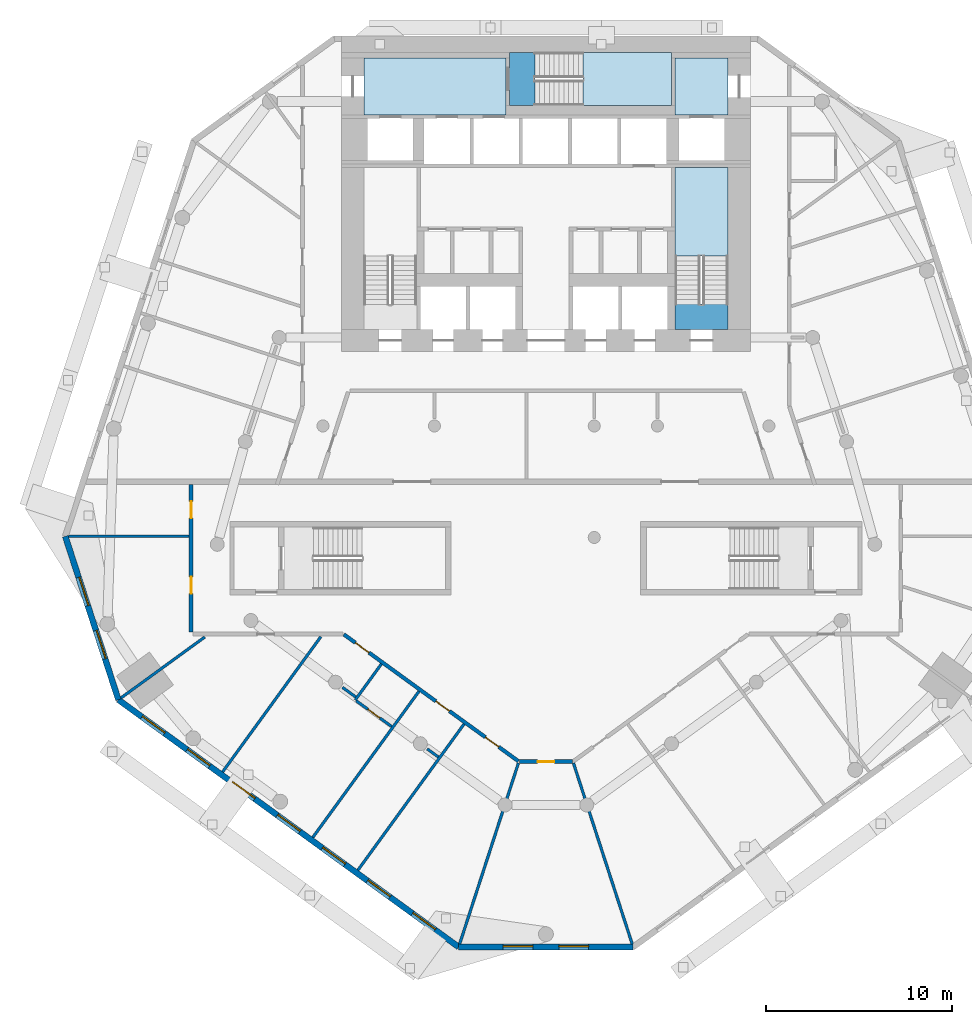
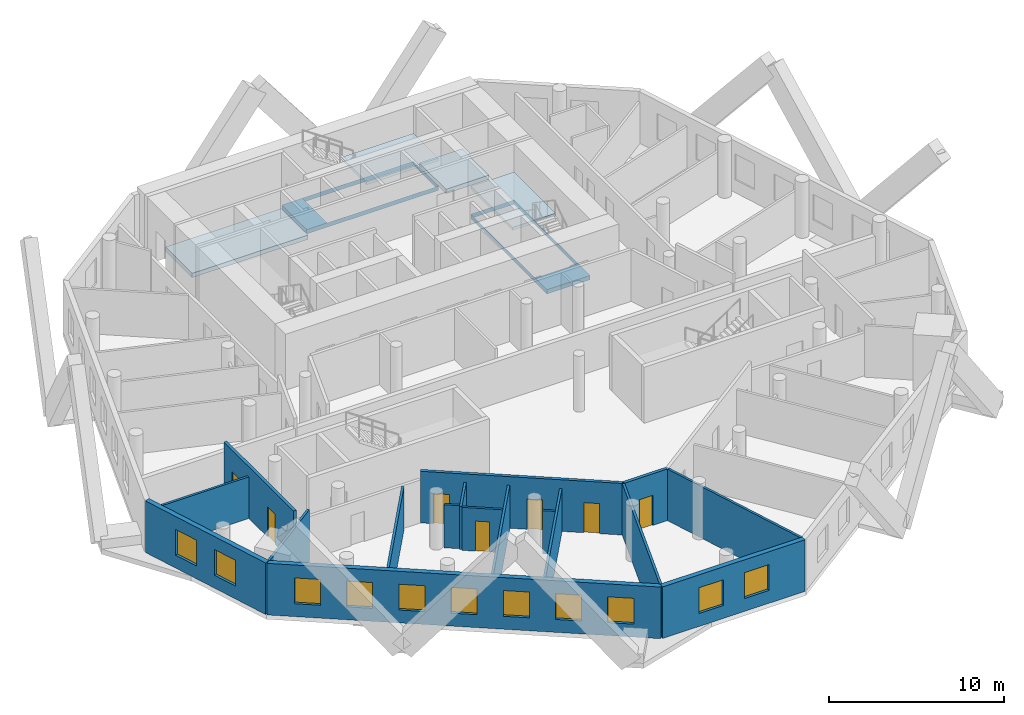
# One storey, part 3 of 10: 17 walls, 11 windows, 7 doors, 6 slabs, 18 openings, 2 elements without a shape of their own.
"""IFC4 building model written with IfcOpenShell, lengths in metres."""

from ifc_helpers import new_model, si_unit, direction, frame, frame_2d, origin, place, context, subcontext, project, spatial, polyline, rectangle, outline, extrude, material, layer, layer_set, type_object, element, fill, aggregate, save


model = new_model("IFC4")

# Units and contexts
model_context = context("Model", 3, precision=1e-05, world=origin(), true_north=direction((0.0, 1.0)))
body_context = subcontext(model_context, "Body", "Model", "MODEL_VIEW")
ifc_project = project(units=[si_unit("LENGTHUNIT", "METRE"), si_unit("AREAUNIT", "SQUARE_METRE"), si_unit("VOLUMEUNIT", "CUBIC_METRE"), si_unit("PLANEANGLEUNIT", "RADIAN"), si_unit("MASSUNIT", "GRAM", prefix="KILO")], contexts=[model_context])

# Site, building, storey
site_placement = place(None, origin())
site = spatial("IfcSite", under=ifc_project, at=site_placement, CompositionType="ELEMENT")
building_placement = place(site_placement, origin())
building = spatial("IfcBuilding", under=site, at=building_placement, Name="White Candle Pilgrim Tower", CompositionType="ELEMENT")
storey_placement = place(building_placement, frame((0.0, 0.0, 78.0)))
storey = spatial("IfcBuildingStorey", under=building, at=storey_placement, Name="L16", CompositionType="ELEMENT", Elevation=78.0)

# Slabs
ifc_material_1 = material(Name="Concrete C40/50", Category="concrete")
ifc_layer_1 = layer(ifc_material_1, 0.300048828125)
ifc_layer_set_1 = layer_set([ifc_layer_1], Name="Core floor slab 300 mm Concrete C40/50")
slab_type_1 = type_object("IfcSlabType", Name="Core floor slab 300 mm Concrete C40/50", PredefinedType="FLOOR", material=ifc_layer_set_1)
slab_1_placement = place(storey_placement, frame((0.0, 0.0, -0.300048828125)))
element("IfcSlab", 1, at=slab_1_placement, inside=storey, type_object=slab_type_1, Name="CF-L16-05", PredefinedType="FLOOR", context=body_context, shape_type="SweptSolid", body=[
    extrude(outline(polyline([(76.75, 87.10009765625), (76.75, 86.800048828125), (76.75, 84.25), (68.050048828125, 84.25), (68.050048828125, 86.800048828125), (68.050048828125, 87.10009765625), (76.75, 87.10009765625)]), holes=[polyline([(69.402099609375, 87.097900390625), (69.402099609375, 84.251953125), (76.748046875, 84.251953125), (76.748046875, 87.097900390625), (69.402099609375, 87.097900390625)])]), origin(), (0.0, 0.0, 1.0), 0.300048828125),
])
slab_2_placement = place(storey_placement, frame((0.0, 0.0, -0.300048828125)))
element("IfcSlab", 2, at=slab_2_placement, inside=storey, type_object=slab_type_1, Name="CF-L16-06", PredefinedType="FLOOR", context=body_context, shape_type="SweptSolid", body=[
    extrude(outline(polyline([(79.800048828125, 86.800048828125), (79.800048828125, 83.75), (76.949951171875, 83.75), (76.949951171875, 84.25), (76.949951171875, 86.800048828125), (79.800048828125, 86.800048828125)])), origin(), (0.0, 0.0, 1.0), 0.300048828125),
])
slab_3_placement = place(storey_placement, frame((0.0, 0.0, -0.300048828125)))
element("IfcSlab", 3, at=slab_3_placement, inside=storey, type_object=slab_type_1, Name="CF-L16-07", PredefinedType="FLOOR", context=body_context, shape_type="SweptSolid", body=[
    extrude(outline(polyline([(79.800048828125, 72.199951171875), (76.949951171875, 72.199951171875), (76.949951171875, 74.5), (76.949951171875, 75.199951171875), (76.949951171875, 77.5), (76.949951171875, 77.699951171875), (76.949951171875, 80.89990234375), (79.800048828125, 80.89990234375), (79.800048828125, 72.199951171875)]), holes=[polyline([(76.951904296875, 73.552001953125), (79.798095703125, 73.552001953125), (79.798095703125, 80.89794921875), (76.951904296875, 80.89794921875), (76.951904296875, 73.552001953125)])]), origin(), (0.0, 0.0, 1.0), 0.300048828125),
])
slab_4_placement = place(storey_placement, frame((0.0, 0.0, -0.300048828125)))
element("IfcSlab", 4, at=slab_4_placement, inside=storey, type_object=slab_type_1, Name="CF-L16-10", PredefinedType="FLOOR", context=body_context, shape_type="SweptSolid", body=[
    extrude(outline(polyline([(60.199951171875, 86.800048828125), (67.85009765625, 86.800048828125), (67.85009765625, 84.25), (67.85009765625, 83.75), (60.199951171875, 83.75), (60.199951171875, 86.800048828125)])), origin(), (0.0, 0.0, 1.0), 0.300048828125),
])

# Stair, slab
stair_type_1 = type_object("IfcStairType", Name="Exit stair 2 flight width 1350 mm", PredefinedType="HALF_TURN_STAIR", material=ifc_material_1)
stair_1_placement = place(storey_placement, origin())
stair_1 = element("IfcStair", 5, at=stair_1_placement, inside=storey, type_object=stair_type_1, Name="L16 stair 2", PredefinedType="NOTDEFINED")
ifc_layer_2 = layer(ifc_material_1, 0.199951171875)
ifc_layer_set_2 = layer_set([ifc_layer_2], Name="Stair landing Concrete C40/50")
slab_type_2 = type_object("IfcSlabType", Name="Stair landing Concrete C40/50", PredefinedType="LANDING", material=ifc_layer_set_2)
slab_5_placement = place(storey_placement, frame((0.0, 0.0, 1.75)))
slab_5 = element("IfcSlab", 6, at=slab_5_placement, type_object=slab_type_2, Name="ST2 landing 1", PredefinedType="LANDING", context=body_context, shape_type="SweptSolid", body=[
    extrude(outline(polyline([(79.802001953125, 76.14794921875), (76.947998046875, 76.14794921875), (76.947998046875, 80.902099609375), (79.802001953125, 80.902099609375), (79.802001953125, 76.14794921875)])), origin(), (0.0, 0.0, 1.0), 0.199951171875),
])
aggregate(stair_1, [slab_5])

stair_type_2 = type_object("IfcStairType", Name="Exit stair 3 flight width 1350 mm", PredefinedType="HALF_TURN_STAIR", material=ifc_material_1)
stair_2_placement = place(storey_placement, origin())
stair_2 = element("IfcStair", 7, at=stair_2_placement, inside=storey, type_object=stair_type_2, Name="L16 stair 3", PredefinedType="NOTDEFINED")
slab_6_placement = place(storey_placement, frame((0.0, 0.0, 1.75)))
slab_6 = element("IfcSlab", 8, at=slab_6_placement, type_object=slab_type_2, Name="ST3 landing 1", PredefinedType="LANDING", context=body_context, shape_type="SweptSolid", body=[
    extrude(outline(polyline([(71.998046875, 84.248046875), (71.998046875, 87.10205078125), (76.751953125, 87.10205078125), (76.751953125, 84.248046875), (71.998046875, 84.248046875)])), origin(), (0.0, 0.0, 1.0), 0.199951171875),
])
aggregate(stair_2, [slab_6])

# Wall, opening, door
ifc_material_2 = material(Name="Gypsum board on steel studs", Category="steel")
ifc_layer_3 = layer(ifc_material_2, 0.199951171875)
ifc_layer_set_3 = layer_set([ifc_layer_3], Name="Corridor wall 200 mm EI 45")
wall_type_1 = type_object("IfcWallType", Name="Corridor wall 200 mm EI 45", PredefinedType="PARTITIONING", material=ifc_layer_set_3)
wall_1_placement = place(storey_placement, frame((71.421875, 48.93701171875, 0.0), z_axis=(0.0, 0.0, 1.0), x_axis=(-1.0, 0.0, 0.0)))
wall_1 = element("IfcWall", 9, at=wall_1_placement, inside=storey, type_object=wall_type_1, Name="WL-L16-P009", PredefinedType="PARTITIONING", context=body_context, shape_type="SweptSolid", body=[
    extrude(rectangle(XDim=2.84375, YDim=0.199951171875, at=frame_2d((1.421875, 0.0))), origin(), (0.0, 0.0, 1.0), 3.60009765625),
])
opening_1_placement = place(wall_1_placement, frame((0.971923828125, 0.0, 0.0)))
opening_1 = element("IfcOpeningElement", 10, at=opening_1_placement, cuts=wall_1, Name="Opening T05-107", PredefinedType="OPENING", context=body_context, shape_type="SweptSolid", body=[
    extrude(rectangle(XDim=0.89990234375, YDim=2.10009765625, at=frame_2d((0.449951171875, 1.050048828125))), frame((0.0, 0.10986328125, 0.0), z_axis=(0.0, -1.0, 0.0), x_axis=(1.0, 0.0, 0.0)), (0.0, 0.0, 1.0), 0.219970703125),
])
ifc_material_3 = material(Name="Steel door leaf", Category="steel")
door_type_1 = type_object("IfcDoorType", Name="Fire door 900 x 2100 EI 30", OperationType="NOTDEFINED", PredefinedType="DOOR", material=ifc_material_3)
door_1_placement = place(opening_1_placement, origin())
door_1 = element("IfcDoor", 11, at=door_1_placement, inside=storey, type_object=door_type_1, Name="Door T05-107", OperationType="SINGLE_SWING_LEFT", OverallHeight=2.10009765625, OverallWidth=0.89990234375, PredefinedType="DOOR", context=body_context, shape_type="SweptSolid", body=[
    extrude(rectangle(XDim=0.89990234375, YDim=2.10009765625, at=frame_2d((0.449951171875, 1.050048828125))), frame((0.0, 0.02490234375, 0.0), z_axis=(0.0, -1.0, 0.0), x_axis=(1.0, 0.0, 0.0)), (0.0, 0.0, 1.0), 0.050048828125),
])
fill(opening_1, door_1)

# Wall, openings, doors
wall_2_placement = place(storey_placement, frame((68.519287109375, 48.956298828125, 0.0), z_axis=(0.0, 0.0, 1.0), x_axis=(-0.80901423231, 0.587789053931, 0.0)))
wall_2 = element("IfcWall", 12, at=wall_2_placement, inside=storey, type_object=wall_type_1, Name="WL-L16-P010", PredefinedType="PARTITIONING", context=body_context, shape_type="SweptSolid", body=[
    extrude(rectangle(XDim=11.61083984375, YDim=0.199951171875, at=frame_2d((5.805419921875, 0.0))), origin(), (0.0, 0.0, 1.0), 3.60009765625),
])
opening_2_placement = place(wall_2_placement, frame((9.943115234375, 0.0, 0.0)))
opening_2 = element("IfcOpeningElement", 13, at=opening_2_placement, cuts=wall_2, Name="Opening T05-104", PredefinedType="OPENING", context=body_context, shape_type="SweptSolid", body=[
    extrude(rectangle(XDim=0.89990234375, YDim=2.10009765625, at=frame_2d((0.449951171875, 1.050048828125))), frame((0.0, 0.10986328125, 0.0), z_axis=(0.0, -1.0, 0.0), x_axis=(1.0, 0.0, 0.0)), (0.0, 0.0, 1.0), 0.219970703125),
])
opening_3_placement = place(wall_2_placement, frame((4.5927734375, 0.0, 0.0)))
opening_3 = element("IfcOpeningElement", 14, at=opening_3_placement, cuts=wall_2, Name="Opening T05-105", PredefinedType="OPENING", context=body_context, shape_type="SweptSolid", body=[
    extrude(rectangle(XDim=0.89990234375, YDim=2.10009765625, at=frame_2d((0.449951171875, 1.050048828125))), frame((0.0, 0.10986328125, 0.0), z_axis=(0.0, -1.0, 0.0), x_axis=(1.0, 0.0, 0.0)), (0.0, 0.0, 1.0), 0.219970703125),
])
opening_4_placement = place(wall_2_placement, frame((1.30517578125, 0.0, 0.0)))
opening_4 = element("IfcOpeningElement", 15, at=opening_4_placement, cuts=wall_2, Name="Opening T05-106", PredefinedType="OPENING", context=body_context, shape_type="SweptSolid", body=[
    extrude(rectangle(XDim=0.89990234375, YDim=2.10009765625, at=frame_2d((0.449951171875, 1.050048828125))), frame((0.0, 0.10986328125, 0.0), z_axis=(0.0, -1.0, 0.0), x_axis=(1.0, 0.0, 0.0)), (0.0, 0.0, 1.0), 0.219970703125),
])
door_2_placement = place(opening_2_placement, origin())
door_2 = element("IfcDoor", 16, at=door_2_placement, inside=storey, type_object=door_type_1, Name="Door T05-104", OperationType="SINGLE_SWING_RIGHT", OverallHeight=2.10009765625, OverallWidth=0.89990234375, PredefinedType="DOOR", context=body_context, shape_type="SweptSolid", body=[
    extrude(rectangle(XDim=0.89990234375, YDim=2.10009765625, at=frame_2d((0.449951171875, 1.050048828125))), frame((0.0, 0.02490234375, 0.0), z_axis=(0.0, -1.0, 0.0), x_axis=(1.0, 0.0, 0.0)), (0.0, 0.0, 1.0), 0.050048828125),
])
fill(opening_2, door_2)
door_3_placement = place(opening_3_placement, origin())
door_3 = element("IfcDoor", 17, at=door_3_placement, inside=storey, type_object=door_type_1, Name="Door T05-105", OperationType="SINGLE_SWING_LEFT", OverallHeight=2.10009765625, OverallWidth=0.89990234375, PredefinedType="DOOR", context=body_context, shape_type="SweptSolid", body=[
    extrude(rectangle(XDim=0.89990234375, YDim=2.10009765625, at=frame_2d((0.449951171875, 1.050048828125))), frame((0.0, 0.02490234375, 0.0), z_axis=(0.0, -1.0, 0.0), x_axis=(1.0, 0.0, 0.0)), (0.0, 0.0, 1.0), 0.050048828125),
])
fill(opening_3, door_3)
door_4_placement = place(opening_4_placement, origin())
door_4 = element("IfcDoor", 18, at=door_4_placement, inside=storey, type_object=door_type_1, Name="Door T05-106", OperationType="SINGLE_SWING_RIGHT", OverallHeight=2.10009765625, OverallWidth=0.89990234375, PredefinedType="DOOR", context=body_context, shape_type="SweptSolid", body=[
    extrude(rectangle(XDim=0.89990234375, YDim=2.10009765625, at=frame_2d((0.449951171875, 1.050048828125))), frame((0.0, 0.02490234375, 0.0), z_axis=(0.0, -1.0, 0.0), x_axis=(1.0, 0.0, 0.0)), (0.0, 0.0, 1.0), 0.050048828125),
])
fill(opening_4, door_4)

wall_3_placement = place(storey_placement, frame((50.89990234375, 55.89990234375, 0.0), z_axis=(0.0, 0.0, 1.0), x_axis=(0.0, 1.0, 0.0)))
wall_3 = element("IfcWall", 19, at=wall_3_placement, inside=storey, type_object=wall_type_1, Name="WL-L16-P012", PredefinedType="PARTITIONING", context=body_context, shape_type="SweptSolid", body=[
    extrude(rectangle(XDim=7.9501953125, YDim=0.199951171875, at=frame_2d((3.97509765625, 0.0))), origin(), (0.0, 0.0, 1.0), 3.60009765625),
])
opening_5_placement = place(wall_3_placement, frame((2.079833984375, 0.0, 0.0)))
opening_5 = element("IfcOpeningElement", 20, at=opening_5_placement, cuts=wall_3, Name="Opening T05-101", PredefinedType="OPENING", context=body_context, shape_type="SweptSolid", body=[
    extrude(rectangle(XDim=0.89990234375, YDim=2.10009765625, at=frame_2d((0.449951171875, 1.050048828125))), frame((0.0, 0.10986328125, 0.0), z_axis=(0.0, -1.0, 0.0), x_axis=(1.0, 0.0, 0.0)), (0.0, 0.0, 1.0), 0.219970703125),
])
opening_6_placement = place(wall_3_placement, frame((6.142333984375, 0.0, 0.0)))
opening_6 = element("IfcOpeningElement", 21, at=opening_6_placement, cuts=wall_3, Name="Opening T05-117", PredefinedType="OPENING", context=body_context, shape_type="SweptSolid", body=[
    extrude(rectangle(XDim=0.89990234375, YDim=2.10009765625, at=frame_2d((0.449951171875, 1.050048828125))), frame((0.0, 0.10986328125, 0.0), z_axis=(0.0, -1.0, 0.0), x_axis=(1.0, 0.0, 0.0)), (0.0, 0.0, 1.0), 0.219970703125),
])
door_5_placement = place(opening_5_placement, origin())
door_5 = element("IfcDoor", 22, at=door_5_placement, inside=storey, type_object=door_type_1, Name="Door T05-101", OperationType="SINGLE_SWING_LEFT", OverallHeight=2.10009765625, OverallWidth=0.89990234375, PredefinedType="DOOR", context=body_context, shape_type="SweptSolid", body=[
    extrude(rectangle(XDim=0.89990234375, YDim=2.10009765625, at=frame_2d((0.449951171875, 1.050048828125))), frame((0.0, 0.02490234375, 0.0), z_axis=(0.0, -1.0, 0.0), x_axis=(1.0, 0.0, 0.0)), (0.0, 0.0, 1.0), 0.050048828125),
])
fill(opening_5, door_5)
door_6_placement = place(opening_6_placement, origin())
door_6 = element("IfcDoor", 23, at=door_6_placement, inside=storey, type_object=door_type_1, Name="Door T05-117", OperationType="SINGLE_SWING_LEFT", OverallHeight=2.10009765625, OverallWidth=0.89990234375, PredefinedType="DOOR", context=body_context, shape_type="SweptSolid", body=[
    extrude(rectangle(XDim=0.89990234375, YDim=2.10009765625, at=frame_2d((0.449951171875, 1.050048828125))), frame((0.0, 0.02490234375, 0.0), z_axis=(0.0, -1.0, 0.0), x_axis=(1.0, 0.0, 0.0)), (0.0, 0.0, 1.0), 0.050048828125),
])
fill(opening_6, door_6)

# Wall, openings, windows
ifc_material_4 = material(Name="Precast concrete C40/50", Category="concrete")
ifc_layer_4 = layer(ifc_material_4, 0.320068359375)
ifc_layer_set_4 = layer_set([ifc_layer_4], Name="Facade wall EW1 precast concrete C40/50 pier wall with timber-lined reveals")
wall_type_2 = type_object("IfcWallType", Name="Facade wall EW1 precast concrete C40/50 pier wall with timber-lined reveals", PredefinedType="SOLIDWALL", material=ifc_layer_set_4)
wall_4_placement = place(storey_placement, frame((44.131591796875, 61.059814453125, 0.0), z_axis=(0.0, 0.0, 1.0), x_axis=(0.309005505668, -0.951060249125, 0.0)))
wall_4 = element("IfcWall", 24, at=wall_4_placement, inside=storey, type_object=wall_type_2, Name="Facade wall L16 W chamfer", PredefinedType="SOLIDWALL", context=body_context, shape_type="SweptSolid", body=[
    extrude(rectangle(XDim=9.250244140625, YDim=0.320068359375, at=frame_2d((4.625, 0.0))), origin(), (0.0, 0.0, 1.0), 3.60009765625),
])
opening_7_placement = place(wall_4_placement, frame((2.3251953125, 0.0, 0.89990234375)))
opening_7 = element("IfcOpeningElement", 25, at=opening_7_placement, cuts=wall_4, Name="Opening W2", PredefinedType="OPENING", context=body_context, shape_type="SweptSolid", body=[
    extrude(rectangle(XDim=1.60009765625, YDim=1.800048828125, at=frame_2d((0.800048828125, 0.89990234375))), frame((0.0, 0.169921875, 0.0), z_axis=(0.0, -1.0, 0.0), x_axis=(1.0, 0.0, 0.0)), (0.0, 0.0, 1.0), 0.340087890625),
])
opening_8_placement = place(wall_4_placement, frame((5.3251953125, 0.0, 0.89990234375)))
opening_8 = element("IfcOpeningElement", 26, at=opening_8_placement, cuts=wall_4, Name="Opening W2", PredefinedType="OPENING", context=body_context, shape_type="SweptSolid", body=[
    extrude(rectangle(XDim=1.60009765625, YDim=1.800048828125, at=frame_2d((0.800048828125, 0.89990234375))), frame((0.0, 0.169921875, 0.0), z_axis=(0.0, -1.0, 0.0), x_axis=(1.0, 0.0, 0.0)), (0.0, 0.0, 1.0), 0.340087890625),
])
ifc_material_5 = material(Name="Timber frame with triple glazing", Category="wood")
window_type_1 = type_object("IfcWindowType", Name="Window W2 1600x1800 timber frame triple glazing", PartitioningType="SINGLE_PANEL", PredefinedType="WINDOW", material=ifc_material_5)
window_1_placement = place(opening_7_placement, origin())
window_1 = element("IfcWindow", 27, at=window_1_placement, inside=storey, type_object=window_type_1, Name="Window W2 L16 W chamfer 1", OverallHeight=1.800048828125, OverallWidth=1.60009765625, PartitioningType="SINGLE_PANEL", PredefinedType="WINDOW", context=body_context, shape_type="SweptSolid", body=[
    extrude(rectangle(XDim=1.60009765625, YDim=1.800048828125, at=frame_2d((0.800048828125, 0.89990234375))), frame((0.0, 0.070068359375, 0.0), z_axis=(0.0, -1.0, 0.0), x_axis=(1.0, 0.0, 0.0)), (0.0, 0.0, 1.0), 0.06005859375),
])
fill(opening_7, window_1)
window_2_placement = place(opening_8_placement, origin())
window_2 = element("IfcWindow", 28, at=window_2_placement, inside=storey, type_object=window_type_1, Name="Window W2 L16 W chamfer 2", OverallHeight=1.800048828125, OverallWidth=1.60009765625, PartitioningType="SINGLE_PANEL", PredefinedType="WINDOW", context=body_context, shape_type="SweptSolid", body=[
    extrude(rectangle(XDim=1.60009765625, YDim=1.800048828125, at=frame_2d((0.800048828125, 0.89990234375))), frame((0.0, 0.070068359375, 0.0), z_axis=(0.0, -1.0, 0.0), x_axis=(1.0, 0.0, 0.0)), (0.0, 0.0, 1.0), 0.06005859375),
])
fill(opening_8, window_2)

wall_5_placement = place(storey_placement, frame((46.989990234375, 52.26220703125, 0.0), z_axis=(0.0, 0.0, 1.0), x_axis=(0.809016763711, -0.587785569774, 0.0)))
wall_5 = element("IfcWall", 29, at=wall_5_placement, inside=storey, type_object=wall_type_2, Name="Facade wall L16 SW", PredefinedType="SOLIDWALL", context=body_context, shape_type="SweptSolid", body=[
    extrude(rectangle(XDim=22.635986328125, YDim=0.320068359375, at=frame_2d((11.31787109375, 0.0))), origin(), (0.0, 0.0, 1.0), 3.60009765625),
])
opening_9_placement = place(wall_5_placement, frame((1.568115234375, 0.0, 0.89990234375)))
opening_9 = element("IfcOpeningElement", 30, at=opening_9_placement, cuts=wall_5, Name="Opening W1", PredefinedType="OPENING", context=body_context, shape_type="SweptSolid", body=[
    extrude(rectangle(XDim=1.5, YDim=1.800048828125, at=frame_2d((0.75, 0.89990234375))), frame((0.0, 0.169921875, 0.0), z_axis=(0.0, -1.0, 0.0), x_axis=(1.0, 0.0, 0.0)), (0.0, 0.0, 1.0), 0.340087890625),
])
opening_10_placement = place(wall_5_placement, frame((4.568115234375, 0.0, 0.89990234375)))
opening_10 = element("IfcOpeningElement", 31, at=opening_10_placement, cuts=wall_5, Name="Opening W1", PredefinedType="OPENING", context=body_context, shape_type="SweptSolid", body=[
    extrude(rectangle(XDim=1.5, YDim=1.800048828125, at=frame_2d((0.75, 0.89990234375))), frame((0.0, 0.169921875, 0.0), z_axis=(0.0, -1.0, 0.0), x_axis=(1.0, 0.0, 0.0)), (0.0, 0.0, 1.0), 0.340087890625),
])
opening_11_placement = place(wall_5_placement, frame((7.568115234375, 0.0, 0.89990234375)))
opening_11 = element("IfcOpeningElement", 32, at=opening_11_placement, cuts=wall_5, Name="Opening W1", PredefinedType="OPENING", context=body_context, shape_type="SweptSolid", body=[
    extrude(rectangle(XDim=1.5, YDim=1.800048828125, at=frame_2d((0.75, 0.89990234375))), frame((0.0, 0.169921875, 0.0), z_axis=(0.0, -1.0, 0.0), x_axis=(1.0, 0.0, 0.0)), (0.0, 0.0, 1.0), 0.340087890625),
])
opening_12_placement = place(wall_5_placement, frame((10.568115234375, 0.0, 0.89990234375)))
opening_12 = element("IfcOpeningElement", 33, at=opening_12_placement, cuts=wall_5, Name="Opening W1", PredefinedType="OPENING", context=body_context, shape_type="SweptSolid", body=[
    extrude(rectangle(XDim=1.5, YDim=1.800048828125, at=frame_2d((0.75, 0.89990234375))), frame((0.0, 0.169921875, 0.0), z_axis=(0.0, -1.0, 0.0), x_axis=(1.0, 0.0, 0.0)), (0.0, 0.0, 1.0), 0.340087890625),
])
opening_13_placement = place(wall_5_placement, frame((13.568115234375, 0.0, 0.89990234375)))
opening_13 = element("IfcOpeningElement", 34, at=opening_13_placement, cuts=wall_5, Name="Opening W1", PredefinedType="OPENING", context=body_context, shape_type="SweptSolid", body=[
    extrude(rectangle(XDim=1.5, YDim=1.800048828125, at=frame_2d((0.75, 0.89990234375))), frame((0.0, 0.169921875, 0.0), z_axis=(0.0, -1.0, 0.0), x_axis=(1.0, 0.0, 0.0)), (0.0, 0.0, 1.0), 0.340087890625),
])
opening_14_placement = place(wall_5_placement, frame((16.568115234375, 0.0, 0.89990234375)))
opening_14 = element("IfcOpeningElement", 35, at=opening_14_placement, cuts=wall_5, Name="Opening W1", PredefinedType="OPENING", context=body_context, shape_type="SweptSolid", body=[
    extrude(rectangle(XDim=1.5, YDim=1.800048828125, at=frame_2d((0.75, 0.89990234375))), frame((0.0, 0.169921875, 0.0), z_axis=(0.0, -1.0, 0.0), x_axis=(1.0, 0.0, 0.0)), (0.0, 0.0, 1.0), 0.340087890625),
])
opening_15_placement = place(wall_5_placement, frame((19.568115234375, 0.0, 0.89990234375)))
opening_15 = element("IfcOpeningElement", 36, at=opening_15_placement, cuts=wall_5, Name="Opening W1", PredefinedType="OPENING", context=body_context, shape_type="SweptSolid", body=[
    extrude(rectangle(XDim=1.5, YDim=1.800048828125, at=frame_2d((0.75, 0.89990234375))), frame((0.0, 0.169921875, 0.0), z_axis=(0.0, -1.0, 0.0), x_axis=(1.0, 0.0, 0.0)), (0.0, 0.0, 1.0), 0.340087890625),
])
window_type_2 = type_object("IfcWindowType", Name="Window W1 1500x1800 timber frame triple glazing", PartitioningType="SINGLE_PANEL", PredefinedType="WINDOW", material=ifc_material_5)
window_3_placement = place(opening_9_placement, origin())
window_3 = element("IfcWindow", 37, at=window_3_placement, inside=storey, type_object=window_type_2, Name="Window W1 L16 SW 1", OverallHeight=1.800048828125, OverallWidth=1.5, PartitioningType="SINGLE_PANEL", PredefinedType="WINDOW", context=body_context, shape_type="SweptSolid", body=[
    extrude(rectangle(XDim=1.5, YDim=1.800048828125, at=frame_2d((0.75, 0.89990234375))), frame((0.0, 0.070068359375, 0.0), z_axis=(0.0, -1.0, 0.0), x_axis=(1.0, 0.0, 0.0)), (0.0, 0.0, 1.0), 0.06005859375),
])
fill(opening_9, window_3)
window_4_placement = place(opening_10_placement, origin())
window_4 = element("IfcWindow", 38, at=window_4_placement, inside=storey, type_object=window_type_2, Name="Window W1 L16 SW 2", OverallHeight=1.800048828125, OverallWidth=1.5, PartitioningType="SINGLE_PANEL", PredefinedType="WINDOW", context=body_context, shape_type="SweptSolid", body=[
    extrude(rectangle(XDim=1.5, YDim=1.800048828125, at=frame_2d((0.75, 0.89990234375))), frame((0.0, 0.070068359375, 0.0), z_axis=(0.0, -1.0, 0.0), x_axis=(1.0, 0.0, 0.0)), (0.0, 0.0, 1.0), 0.06005859375),
])
fill(opening_10, window_4)
window_5_placement = place(opening_11_placement, origin())
window_5 = element("IfcWindow", 39, at=window_5_placement, inside=storey, type_object=window_type_2, Name="Window W1 L16 SW 3", OverallHeight=1.800048828125, OverallWidth=1.5, PartitioningType="SINGLE_PANEL", PredefinedType="WINDOW", context=body_context, shape_type="SweptSolid", body=[
    extrude(rectangle(XDim=1.5, YDim=1.800048828125, at=frame_2d((0.75, 0.89990234375))), frame((0.0, 0.070068359375, 0.0), z_axis=(0.0, -1.0, 0.0), x_axis=(1.0, 0.0, 0.0)), (0.0, 0.0, 1.0), 0.06005859375),
])
fill(opening_11, window_5)
window_6_placement = place(opening_12_placement, origin())
window_6 = element("IfcWindow", 40, at=window_6_placement, inside=storey, type_object=window_type_2, Name="Window W1 L16 SW 4", OverallHeight=1.800048828125, OverallWidth=1.5, PartitioningType="SINGLE_PANEL", PredefinedType="WINDOW", context=body_context, shape_type="SweptSolid", body=[
    extrude(rectangle(XDim=1.5, YDim=1.800048828125, at=frame_2d((0.75, 0.89990234375))), frame((0.0, 0.070068359375, 0.0), z_axis=(0.0, -1.0, 0.0), x_axis=(1.0, 0.0, 0.0)), (0.0, 0.0, 1.0), 0.06005859375),
])
fill(opening_12, window_6)
window_7_placement = place(opening_13_placement, origin())
window_7 = element("IfcWindow", 41, at=window_7_placement, inside=storey, type_object=window_type_2, Name="Window W1 L16 SW 5", OverallHeight=1.800048828125, OverallWidth=1.5, PartitioningType="SINGLE_PANEL", PredefinedType="WINDOW", context=body_context, shape_type="SweptSolid", body=[
    extrude(rectangle(XDim=1.5, YDim=1.800048828125, at=frame_2d((0.75, 0.89990234375))), frame((0.0, 0.070068359375, 0.0), z_axis=(0.0, -1.0, 0.0), x_axis=(1.0, 0.0, 0.0)), (0.0, 0.0, 1.0), 0.06005859375),
])
fill(opening_13, window_7)
window_8_placement = place(opening_14_placement, origin())
window_8 = element("IfcWindow", 42, at=window_8_placement, inside=storey, type_object=window_type_2, Name="Window W1 L16 SW 6", OverallHeight=1.800048828125, OverallWidth=1.5, PartitioningType="SINGLE_PANEL", PredefinedType="WINDOW", context=body_context, shape_type="SweptSolid", body=[
    extrude(rectangle(XDim=1.5, YDim=1.800048828125, at=frame_2d((0.75, 0.89990234375))), frame((0.0, 0.070068359375, 0.0), z_axis=(0.0, -1.0, 0.0), x_axis=(1.0, 0.0, 0.0)), (0.0, 0.0, 1.0), 0.06005859375),
])
fill(opening_14, window_8)
window_9_placement = place(opening_15_placement, origin())
window_9 = element("IfcWindow", 43, at=window_9_placement, inside=storey, type_object=window_type_2, Name="Window W1 L16 SW 7", OverallHeight=1.800048828125, OverallWidth=1.5, PartitioningType="SINGLE_PANEL", PredefinedType="WINDOW", context=body_context, shape_type="SweptSolid", body=[
    extrude(rectangle(XDim=1.5, YDim=1.800048828125, at=frame_2d((0.75, 0.89990234375))), frame((0.0, 0.070068359375, 0.0), z_axis=(0.0, -1.0, 0.0), x_axis=(1.0, 0.0, 0.0)), (0.0, 0.0, 1.0), 0.06005859375),
])
fill(opening_15, window_9)

wall_6_placement = place(storey_placement, frame((65.302978515625, 38.95703125, 0.0), z_axis=(0.0, 0.0, 1.0), x_axis=(1.0, 0.0, 0.0)))
wall_6 = element("IfcWall", 44, at=wall_6_placement, inside=storey, type_object=wall_type_2, Name="Facade wall L16 S chamfer", PredefinedType="SOLIDWALL", context=body_context, shape_type="SweptSolid", body=[
    extrude(rectangle(XDim=9.39404296875, YDim=0.320068359375, at=frame_2d((4.697021484375, 0.0))), origin(), (0.0, 0.0, 1.0), 3.60009765625),
])
opening_16_placement = place(wall_6_placement, frame((2.39697265625, 0.0, 0.89990234375)))
opening_16 = element("IfcOpeningElement", 45, at=opening_16_placement, cuts=wall_6, Name="Opening W2", PredefinedType="OPENING", context=body_context, shape_type="SweptSolid", body=[
    extrude(rectangle(XDim=1.60009765625, YDim=1.800048828125, at=frame_2d((0.800048828125, 0.89990234375))), frame((0.0, 0.169921875, 0.0), z_axis=(0.0, -1.0, 0.0), x_axis=(1.0, 0.0, 0.0)), (0.0, 0.0, 1.0), 0.340087890625),
])
opening_17_placement = place(wall_6_placement, frame((5.39697265625, 0.0, 0.89990234375)))
opening_17 = element("IfcOpeningElement", 46, at=opening_17_placement, cuts=wall_6, Name="Opening W2", PredefinedType="OPENING", context=body_context, shape_type="SweptSolid", body=[
    extrude(rectangle(XDim=1.60009765625, YDim=1.800048828125, at=frame_2d((0.800048828125, 0.89990234375))), frame((0.0, 0.169921875, 0.0), z_axis=(0.0, -1.0, 0.0), x_axis=(1.0, 0.0, 0.0)), (0.0, 0.0, 1.0), 0.340087890625),
])
window_10_placement = place(opening_16_placement, origin())
window_10 = element("IfcWindow", 47, at=window_10_placement, inside=storey, type_object=window_type_1, Name="Window W2 L16 S chamfer 1", OverallHeight=1.800048828125, OverallWidth=1.60009765625, PartitioningType="SINGLE_PANEL", PredefinedType="WINDOW", context=body_context, shape_type="SweptSolid", body=[
    extrude(rectangle(XDim=1.60009765625, YDim=1.800048828125, at=frame_2d((0.800048828125, 0.89990234375))), frame((0.0, 0.070068359375, 0.0), z_axis=(0.0, -1.0, 0.0), x_axis=(1.0, 0.0, 0.0)), (0.0, 0.0, 1.0), 0.06005859375),
])
fill(opening_16, window_10)
window_11_placement = place(opening_17_placement, origin())
window_11 = element("IfcWindow", 48, at=window_11_placement, inside=storey, type_object=window_type_1, Name="Window W2 L16 S chamfer 2", OverallHeight=1.800048828125, OverallWidth=1.60009765625, PartitioningType="SINGLE_PANEL", PredefinedType="WINDOW", context=body_context, shape_type="SweptSolid", body=[
    extrude(rectangle(XDim=1.60009765625, YDim=1.800048828125, at=frame_2d((0.800048828125, 0.89990234375))), frame((0.0, 0.070068359375, 0.0), z_axis=(0.0, -1.0, 0.0), x_axis=(1.0, 0.0, 0.0)), (0.0, 0.0, 1.0), 0.06005859375),
])
fill(opening_17, window_11)

# Walls
ifc_layer_5 = layer(ifc_material_2, 0.14990234375)
ifc_layer_set_5 = layer_set([ifc_layer_5], Name="Partition 150 mm EI 60")
wall_type_3 = type_object("IfcWallType", Name="Partition 150 mm EI 60", PredefinedType="PARTITIONING", material=ifc_layer_set_5)
wall_7_placement = place(storey_placement, frame((44.2998046875, 61.059814453125, 0.0), z_axis=(0.0, 0.0, 1.0), x_axis=(1.0, 0.0, 0.0)))
element("IfcWall", 49, at=wall_7_placement, inside=storey, type_object=wall_type_3, Name="WL-L16-P017", PredefinedType="PARTITIONING", context=body_context, shape_type="SweptSolid", body=[
    extrude(rectangle(XDim=6.500244140625, YDim=0.14990234375, at=frame_2d((3.25, 0.0))), origin(), (0.0, 0.0, 1.0), 2.89990234375),
])
wall_8_placement = place(storey_placement, frame((47.126220703125, 52.361083984375, 0.0), z_axis=(0.0, 0.0, 1.0), x_axis=(0.809016140997, 0.587786426864, 0.0)))
element("IfcWall", 50, at=wall_8_placement, inside=storey, type_object=wall_type_3, Name="WL-L16-P018", PredefinedType="PARTITIONING", context=body_context, shape_type="SweptSolid", body=[
    extrude(rectangle(XDim=5.577392578125, YDim=0.14990234375, at=frame_2d((2.78857421875, 0.0))), origin(), (0.0, 0.0, 1.0), 3.60009765625),
])
for number, where, z_axis, x_axis, name in (
    (51, (65.35498046875, 39.1171875, 0.0), (0.0, 0.0, 1.0), (0.309008980836, 0.951059120015, 0.0), "WL-L16-P019"),
    (52, (74.64501953125, 39.1171875, 0.0), (0.0, 0.0, 1.0), (-0.309008980836, 0.951059120015, 0.0), "WL-L16-P020"),
):
    element("IfcWall", number, at=place(storey_placement, frame(where, z_axis=z_axis, x_axis=x_axis)), inside=storey, type_object=wall_type_3, Name=name, PredefinedType="PARTITIONING", context=body_context, shape_type="SweptSolid", body=[
        extrude(rectangle(XDim=10.240234375, YDim=0.14990234375, at=frame_2d((5.1201171875, 0.0))), origin(), (0.0, 0.0, 1.0), 3.60009765625),
    ])
wall_9_placement = place(storey_placement, frame((52.60009765625, 48.384033203125, 0.0), z_axis=(0.0, 0.0, 1.0), x_axis=(0.587771106094, 0.809027272001, 0.0)))
element("IfcWall", 53, at=wall_9_placement, inside=storey, type_object=wall_type_3, Name="WL-L16-P028", PredefinedType="PARTITIONING", context=body_context, shape_type="SweptSolid", body=[
    extrude(rectangle(XDim=8.988525390625, YDim=0.14990234375, at=frame_2d((4.494140625, 0.0))), origin(), (0.0, 0.0, 1.0), 3.0),
])
wall_10_placement = place(storey_placement, frame((57.4541015625, 44.857421875, 0.0), z_axis=(0.0, 0.0, 1.0), x_axis=(0.587798267683, 0.80900753798, 0.0)))
element("IfcWall", 54, at=wall_10_placement, inside=storey, type_object=wall_type_3, Name="WL-L16-P029", PredefinedType="PARTITIONING", context=body_context, shape_type="SweptSolid", body=[
    extrude(rectangle(XDim=9.719970703125, YDim=0.14990234375, at=frame_2d((4.85986328125, 0.0))), origin(), (0.0, 0.0, 1.0), 3.0),
])
wall_11_placement = place(storey_placement, frame((59.881103515625, 43.093994140625, 0.0), z_axis=(0.0, 0.0, 1.0), x_axis=(0.587786323686, 0.809016215961, 0.0)))
element("IfcWall", 55, at=wall_11_placement, inside=storey, type_object=wall_type_3, Name="WL-L16-P030", PredefinedType="PARTITIONING", context=body_context, shape_type="SweptSolid", body=[
    extrude(rectangle(XDim=9.72021484375, YDim=0.14990234375, at=frame_2d((4.860107421875, 0.0))), origin(), (0.0, 0.0, 1.0), 3.0),
])
wall_12_placement = place(storey_placement, frame((61.144775390625, 54.1904296875, 0.0), z_axis=(0.0, 0.0, 1.0), x_axis=(-0.587772420479, -0.809026317077, 0.0)))
element("IfcWall", 56, at=wall_12_placement, inside=storey, type_object=wall_type_3, Name="WL-L16-P031", PredefinedType="PARTITIONING", context=body_context, shape_type="SweptSolid", body=[
    extrude(rectangle(XDim=2.39990234375, YDim=0.14990234375, at=frame_2d((1.199951171875, 0.0))), origin(), (0.0, 0.0, 1.0), 3.0),
])

# Wall, opening, door
wall_13_placement = place(storey_placement, frame((61.696044921875, 50.823486328125, 0.0), z_axis=(0.0, 0.0, 1.0), x_axis=(-0.808996573949, 0.587813357571, 0.0)))
wall_13 = element("IfcWall", 57, at=wall_13_placement, inside=storey, type_object=wall_type_3, Name="WL-L16-P032", PredefinedType="PARTITIONING", context=body_context, shape_type="SweptSolid", body=[
    extrude(rectangle(XDim=2.35009765625, YDim=0.14990234375, at=frame_2d((1.175048828125, 0.0))), origin(), (0.0, 0.0, 1.0), 3.0),
])
opening_18_placement = place(wall_13_placement, frame((0.77490234375, 0.0, 0.0)))
opening_18 = element("IfcOpeningElement", 58, at=opening_18_placement, cuts=wall_13, Name="Opening T05-103", PredefinedType="OPENING", context=body_context, shape_type="SweptSolid", body=[
    extrude(rectangle(XDim=0.800048828125, YDim=2.10009765625, at=frame_2d((0.39990234375, 1.050048828125))), frame((0.0, 0.0849609375, 0.0), z_axis=(0.0, -1.0, 0.0), x_axis=(1.0, 0.0, 0.0)), (0.0, 0.0, 1.0), 0.169921875),
])
door_type_2 = type_object("IfcDoorType", Name="Fire door 800 x 2100 EI 30", OperationType="NOTDEFINED", PredefinedType="DOOR", material=ifc_material_3)
door_7_placement = place(opening_18_placement, origin())
door_7 = element("IfcDoor", 59, at=door_7_placement, inside=storey, type_object=door_type_2, Name="Door T05-103", OperationType="SINGLE_SWING_LEFT", OverallHeight=2.10009765625, OverallWidth=0.800048828125, PredefinedType="DOOR", context=body_context, shape_type="SweptSolid", body=[
    extrude(rectangle(XDim=0.800048828125, YDim=2.10009765625, at=frame_2d((0.39990234375, 1.050048828125))), frame((0.0, 0.02490234375, 0.0), z_axis=(0.0, -1.0, 0.0), x_axis=(1.0, 0.0, 0.0)), (0.0, 0.0, 1.0), 0.050048828125),
])
fill(opening_18, door_7)

# Walls
wall_14_placement = place(storey_placement, frame((59.050537109375, 52.92919921875, 0.0), z_axis=(0.0, 0.0, 1.0), x_axis=(0.808952485751, -0.587874030552, 0.0)))
element("IfcWall", 60, at=wall_14_placement, inside=storey, type_object=wall_type_3, Name="WL-L16-P044", PredefinedType="PARTITIONING", context=body_context, shape_type="SweptSolid", body=[
    extrude(rectangle(XDim=0.8779296875, YDim=0.14990234375, at=frame_2d((0.43896484375, 0.0))), origin(), (0.0, 0.0, 1.0), 3.0),
])
wall_15_placement = place(storey_placement, frame((63.610595703125, 49.619140625, 0.0), z_axis=(0.0, 0.0, 1.0), x_axis=(0.809091070076, -0.587683282325, 0.0)))
element("IfcWall", 61, at=wall_15_placement, inside=storey, type_object=wall_type_3, Name="WL-L16-P045", PredefinedType="PARTITIONING", context=body_context, shape_type="SweptSolid", body=[
    extrude(rectangle(XDim=0.7431640625, YDim=0.14990234375, at=frame_2d((0.37158203125, 0.0))), origin(), (0.0, 0.0, 1.0), 3.0),
])

save(model, "model.ifc")
